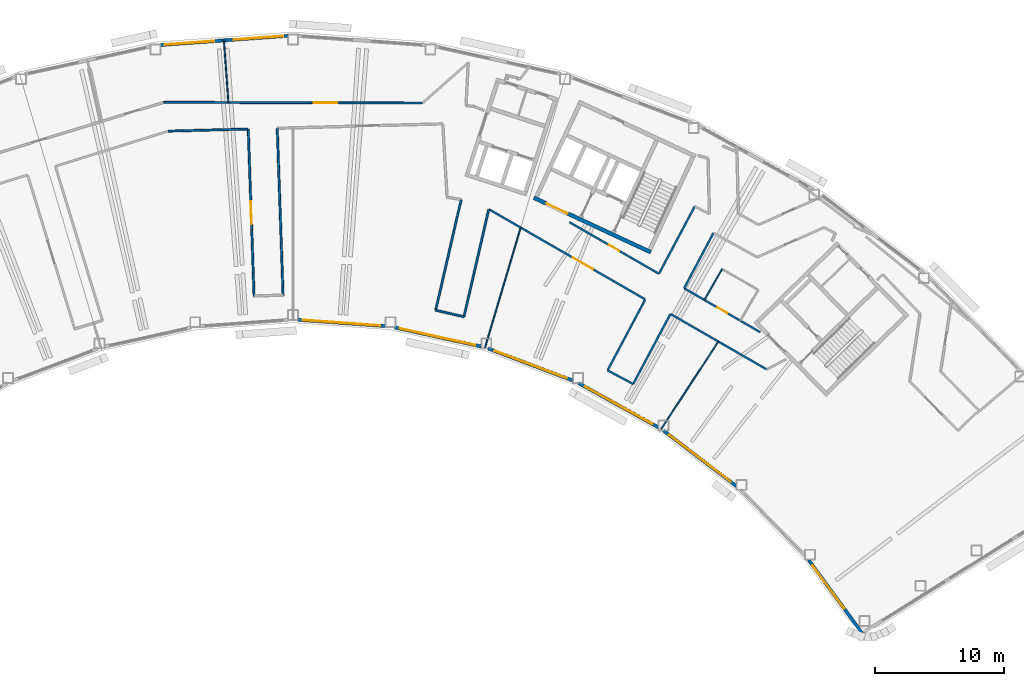
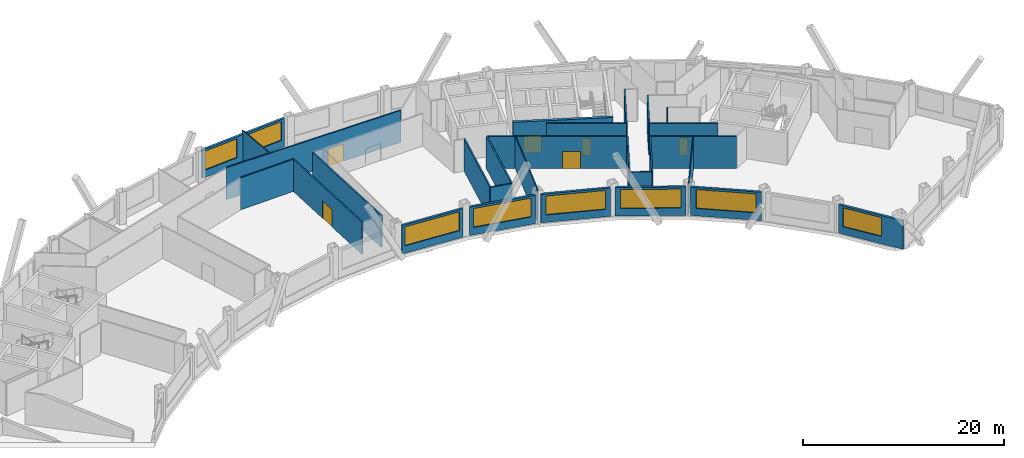
# One storey, part 7 of 13: 28 walls, 8 windows, 6 doors, 14 openings.
"""IFC4 building model written with IfcOpenShell, lengths in metres."""

from ifc_helpers import new_model, si_unit, direction, frame, frame_2d, origin, place, context, subcontext, project, spatial, rectangle, extrude, material, layer, layer_set, type_object, element, fill, save


model = new_model("IFC4")

# Units and contexts
model_context = context("Model", 3, precision=1e-05, world=origin(), true_north=direction((0.0, 1.0)))
body_context = subcontext(model_context, "Body", "Model", "MODEL_VIEW")
ifc_project = project(units=[si_unit("LENGTHUNIT", "METRE"), si_unit("AREAUNIT", "SQUARE_METRE"), si_unit("VOLUMEUNIT", "CUBIC_METRE"), si_unit("PLANEANGLEUNIT", "RADIAN"), si_unit("MASSUNIT", "GRAM", prefix="KILO")], contexts=[model_context])

# Site, building, storey
site_placement = place(None, origin())
site = spatial("IfcSite", under=ifc_project, at=site_placement, CompositionType="ELEMENT")
building_placement = place(site_placement, origin())
building = spatial("IfcBuilding", under=site, at=building_placement, Name="Tuul Gate Civic Tower", CompositionType="ELEMENT")
storey_placement = place(building_placement, frame((0.0, 0.0, 285.800048828125)))
storey = spatial("IfcBuildingStorey", under=building, at=storey_placement, Name="Level 64", CompositionType="ELEMENT", Elevation=285.800048828125)

# Wall, opening, door
ifc_material_1 = material(Name="Concrete C50/60", Category="concrete")
ifc_layer_1 = layer(ifc_material_1, 0.300048828125)
ifc_layer_set_1 = layer_set([ifc_layer_1], Name="Concrete C50/60")
wall_type_1 = type_object("IfcWallType", Name="Core wall C50/60", PredefinedType="SHEAR", material=ifc_layer_set_1)
wall_1_placement = place(storey_placement, frame((34.5283203125, -7.25, 0.0), z_axis=(0.0, 0.0, 1.0), x_axis=(-0.906310338845, 0.422612789327, 0.0)))
wall_1 = element("IfcWall", 1, at=wall_1_placement, inside=storey, type_object=wall_type_1, Name="Core wall", PredefinedType="SHEAR", context=body_context, shape_type="SweptSolid", body=[
    extrude(rectangle(XDim=9.999755859375, YDim=0.300048828125, at=frame_2d((5.0, 0.0))), origin(), (0.0, 0.0, 1.0), 3.89990234375),
])
opening_1_placement = place(wall_1_placement, frame((7.125, 0.0, 0.0)))
opening_1 = element("IfcOpeningElement", 2, at=opening_1_placement, cuts=wall_1, Name="Opening LB-E3-LOBBY-1", PredefinedType="OPENING", context=body_context, shape_type="SweptSolid", body=[
    extrude(rectangle(XDim=1.800048828125, YDim=2.10009765625, at=frame_2d((0.89990234375, 1.050048828125))), frame((0.0, 0.16015625, 0.0), z_axis=(0.0, -1.0, 0.0), x_axis=(1.0, 0.0, 0.0)), (0.0, 0.0, 1.0), 0.320068359375),
])
ifc_material_2 = material(Name="Steel", Category="steel")
door_type_1 = type_object("IfcDoorType", Name="Lobby door", OperationType="DOUBLE_DOOR_SINGLE_SWING", PredefinedType="DOOR", material=ifc_material_2)
door_1_placement = place(opening_1_placement, frame((1.800048828125, 0.0, 0.0), z_axis=(0.0, 0.0, 1.0), x_axis=(-1.0, 0.0, 0.0)))
door_1 = element("IfcDoor", 3, at=door_1_placement, inside=storey, type_object=door_type_1, Name="Lobby door E3-LOBBY", OperationType="DOUBLE_DOOR_SINGLE_SWING", OverallHeight=2.10009765625, OverallWidth=1.800048828125, PredefinedType="DOOR", context=body_context, shape_type="SweptSolid", body=[
    extrude(rectangle(XDim=1.800048828125, YDim=2.10009765625, at=frame_2d((0.900146484375, 1.050048828125))), frame((0.0, 0.02490234375, 0.0), z_axis=(0.0, -1.0, 0.0), x_axis=(1.0, 0.0, 0.0)), (0.0, 0.0, 1.0), 0.050048828125),
])
fill(opening_1, door_1)

ifc_material_3 = material(Name="Gypsum board partition")
ifc_layer_2 = layer(ifc_material_3, 0.14990234375)
ifc_layer_set_2 = layer_set([ifc_layer_2], Name="Gypsum board partition")
wall_type_2 = type_object("IfcWallType", Name="Corridor wall P150", PredefinedType="PARTITIONING", material=ifc_layer_set_2)
wall_2_placement = place(storey_placement, frame((-3.21337890625, 4.37158203125, 0.0), z_axis=(0.0, 0.0, 1.0), x_axis=(0.999996537245, -0.002631633958, 0.0)))
wall_2 = element("IfcWall", 4, at=wall_2_placement, inside=storey, type_object=wall_type_2, Name="p025", PredefinedType="PARTITIONING", context=body_context, shape_type="SweptSolid", body=[
    extrude(rectangle(XDim=20.03857421875, YDim=0.14990234375, at=frame_2d((10.019287109375, 0.0))), origin(), (0.0, 0.0, 1.0), 3.89990234375),
])
opening_2_placement = place(wall_2_placement, frame((11.620361328125, 0.0, 0.0)))
opening_2 = element("IfcOpeningElement", 5, at=opening_2_placement, cuts=wall_2, Name="Opening X-D03", PredefinedType="OPENING", context=body_context, shape_type="SweptSolid", body=[
    extrude(rectangle(XDim=1.800048828125, YDim=2.10009765625, at=frame_2d((0.89990234375, 1.050048828125))), frame((0.0, 0.0849609375, 0.0), z_axis=(0.0, -1.0, 0.0), x_axis=(1.0, 0.0, 0.0)), (0.0, 0.0, 1.0), 0.169921875),
])
ifc_material_4 = material(Name="Timber door leaf, double", Category="wood")
door_type_2 = type_object("IfcDoorType", Name="Door D18", OperationType="DOUBLE_DOOR_SINGLE_SWING", PredefinedType="DOOR", material=ifc_material_4)
door_2_placement = place(opening_2_placement, origin())
door_2 = element("IfcDoor", 6, at=door_2_placement, inside=storey, type_object=door_type_2, Name="Door X-D03", OperationType="DOUBLE_DOOR_SINGLE_SWING", OverallHeight=2.10009765625, OverallWidth=1.800048828125, PredefinedType="DOOR", context=body_context, shape_type="SweptSolid", body=[
    extrude(rectangle(XDim=1.800048828125, YDim=2.10009765625, at=frame_2d((0.89990234375, 1.050048828125))), frame((0.0, 0.02490234375, 0.0), z_axis=(0.0, -1.0, 0.0), x_axis=(1.0, 0.0, 0.0)), (0.0, 0.0, 1.0), 0.050048828125),
])
fill(opening_2, door_2)

wall_3_placement = place(storey_placement, frame((21.993408203125, -3.923828125, 0.0), z_axis=(0.0, 0.0, 1.0), x_axis=(0.866338745538, -0.499456883004, 0.0)))
wall_3 = element("IfcWall", 7, at=wall_3_placement, inside=storey, type_object=wall_type_2, Name="p048", PredefinedType="PARTITIONING", context=body_context, shape_type="SweptSolid", body=[
    extrude(rectangle(XDim=13.955078125, YDim=0.14990234375, at=frame_2d((6.9775390625, 0.0))), origin(), (0.0, 0.0, 1.0), 3.89990234375),
])
opening_3_placement = place(wall_3_placement, frame((7.491455078125, 0.0, 0.0)))
opening_3 = element("IfcOpeningElement", 8, at=opening_3_placement, cuts=wall_3, Name="Opening X-D09", PredefinedType="OPENING", context=body_context, shape_type="SweptSolid", body=[
    extrude(rectangle(XDim=1.800048828125, YDim=2.10009765625, at=frame_2d((0.89990234375, 1.050048828125))), frame((0.0, 0.0849609375, 0.0), z_axis=(0.0, -1.0, 0.0), x_axis=(1.0, 0.0, 0.0)), (0.0, 0.0, 1.0), 0.169921875),
])
door_3_placement = place(opening_3_placement, frame((1.800048828125, 0.0, 0.0), z_axis=(0.0, 0.0, 1.0), x_axis=(-1.0, 0.0, 0.0)))
door_3 = element("IfcDoor", 9, at=door_3_placement, inside=storey, type_object=door_type_2, Name="Door X-D09", OperationType="DOUBLE_DOOR_SINGLE_SWING", OverallHeight=2.10009765625, OverallWidth=1.800048828125, PredefinedType="DOOR", context=body_context, shape_type="SweptSolid", body=[
    extrude(rectangle(XDim=1.800048828125, YDim=2.10009765625, at=frame_2d((0.900146484375, 1.050048828125))), frame((0.0, 0.02490234375, 0.0), z_axis=(0.0, -1.0, 0.0), x_axis=(1.0, 0.0, 0.0)), (0.0, 0.0, 1.0), 0.050048828125),
])
fill(opening_3, door_3)

# Walls
wall_4_placement = place(storey_placement, frame((36.069091796875, -12.038818359375, 0.0), z_axis=(0.0, 0.0, 1.0), x_axis=(0.866348277937, -0.499440348105, 0.0)))
element("IfcWall", 10, at=wall_4_placement, inside=storey, type_object=wall_type_2, Name="p049", PredefinedType="PARTITIONING", context=body_context, shape_type="SweptSolid", body=[
    extrude(rectangle(XDim=8.591552734375, YDim=0.14990234375, at=frame_2d((4.2958984375, 0.0))), origin(), (0.0, 0.0, 1.0), 3.89990234375),
])
wall_5_placement = place(storey_placement, frame((31.176513671875, -16.40283203125, 0.0), z_axis=(0.0, 0.0, 1.0), x_axis=(0.469487753486, 0.88293898392, 0.0)))
element("IfcWall", 11, at=wall_5_placement, inside=storey, type_object=wall_type_2, Name="p052", PredefinedType="PARTITIONING", context=body_context, shape_type="SweptSolid", body=[
    extrude(rectangle(XDim=6.20849609375, YDim=0.14990234375, at=frame_2d((3.104248046875, 0.0))), origin(), (0.0, 0.0, 1.0), 3.89990234375),
])
wall_6_placement = place(storey_placement, frame((35.16748046875, -8.897216796875, 0.0), z_axis=(0.0, 0.0, 1.0), x_axis=(0.469451695626, 0.882958156128, 0.0)))
element("IfcWall", 12, at=wall_6_placement, inside=storey, type_object=wall_type_2, Name="p053", PredefinedType="PARTITIONING", context=body_context, shape_type="SweptSolid", body=[
    extrude(rectangle(XDim=5.89990234375, YDim=0.14990234375, at=frame_2d((2.949951171875, 0.0))), origin(), (0.0, 0.0, 1.0), 3.89990234375),
])
wall_7_placement = place(storey_placement, frame((31.1767578125, -16.40380859375, 0.0), z_axis=(0.0, 0.0, 1.0), x_axis=(0.88294134125, -0.469483320163, 0.0)))
element("IfcWall", 13, at=wall_7_placement, inside=storey, type_object=wall_type_2, Name="p054", PredefinedType="PARTITIONING", context=body_context, shape_type="SweptSolid", body=[
    extrude(rectangle(XDim=2.24853515625, YDim=0.14990234375, at=frame_2d((1.124267578125, 0.0))), origin(), (0.0, 0.0, 1.0), 3.89990234375),
])
wall_8_placement = place(storey_placement, frame((33.1630859375, -17.458984375, 0.0), z_axis=(0.0, 0.0, 1.0), x_axis=(0.469504641219, 0.882930003949, 0.0)))
element("IfcWall", 14, at=wall_8_placement, inside=storey, type_object=wall_type_2, Name="p055", PredefinedType="PARTITIONING", context=body_context, shape_type="SweptSolid", body=[
    extrude(rectangle(XDim=6.129638671875, YDim=0.14990234375, at=frame_2d((3.06494140625, 0.0))), origin(), (0.0, 0.0, 1.0), 3.89990234375),
])
wall_9_placement = place(storey_placement, frame((37.10791015625, -10.040283203125, 0.0), z_axis=(0.0, 0.0, 1.0), x_axis=(0.469444477651, 0.882961993748, 0.0)))
element("IfcWall", 15, at=wall_9_placement, inside=storey, type_object=wall_type_2, Name="p056", PredefinedType="PARTITIONING", context=body_context, shape_type="SweptSolid", body=[
    extrude(rectangle(XDim=4.854248046875, YDim=0.14990234375, at=frame_2d((2.42724609375, 0.0))), origin(), (0.0, 0.0, 1.0), 3.89990234375),
])
wall_10_placement = place(storey_placement, frame((-2.88818359375, 2.138427734375, 0.0), z_axis=(0.0, 0.0, 1.0), x_axis=(0.999648112488, 0.026526424561, 0.0)))
element("IfcWall", 16, at=wall_10_placement, inside=storey, type_object=wall_type_2, Name="p058", PredefinedType="PARTITIONING", context=body_context, shape_type="SweptSolid", body=[
    extrude(rectangle(XDim=6.194091796875, YDim=0.14990234375, at=frame_2d((3.09716796875, 0.0))), origin(), (0.0, 0.0, 1.0), 3.89990234375),
])
wall_11_placement = place(storey_placement, frame((17.8525390625, -11.740478515625, 0.0), z_axis=(0.0, 0.0, 1.0), x_axis=(0.224944785676, 0.974371512, 0.0)))
element("IfcWall", 17, at=wall_11_placement, inside=storey, type_object=wall_type_2, Name="p062", PredefinedType="PARTITIONING", context=body_context, shape_type="SweptSolid", body=[
    extrude(rectangle(XDim=8.781494140625, YDim=0.14990234375, at=frame_2d((4.390625, 0.0))), origin(), (0.0, 0.0, 1.0), 3.89990234375),
])
wall_12_placement = place(storey_placement, frame((17.853271484375, -11.741455078125, 0.0), z_axis=(0.0, 0.0, 1.0), x_axis=(0.974365570195, -0.224970521667, 0.0)))
element("IfcWall", 18, at=wall_12_placement, inside=storey, type_object=wall_type_2, Name="p063", PredefinedType="PARTITIONING", context=body_context, shape_type="SweptSolid", body=[
    extrude(rectangle(XDim=2.24853515625, YDim=0.14990234375, at=frame_2d((1.124267578125, 0.0))), origin(), (0.0, 0.0, 1.0), 3.89990234375),
])
wall_13_placement = place(storey_placement, frame((20.044921875, -12.24658203125, 0.0), z_axis=(0.0, 0.0, 1.0), x_axis=(0.224949406765, 0.974370445157, 0.0)))
element("IfcWall", 19, at=wall_13_placement, inside=storey, type_object=wall_type_2, Name="p064", PredefinedType="PARTITIONING", context=body_context, shape_type="SweptSolid", body=[
    extrude(rectangle(XDim=8.5283203125, YDim=0.14990234375, at=frame_2d((4.26416015625, 0.0))), origin(), (0.0, 0.0, 1.0), 3.89990234375),
])

# Wall, opening, door
wall_14_placement = place(storey_placement, frame((3.32470703125, 2.282958984375, 0.0), z_axis=(0.0, 0.0, 1.0), x_axis=(0.034876981924, -0.999391612999, 0.0)))
wall_14 = element("IfcWall", 20, at=wall_14_placement, inside=storey, type_object=wall_type_2, Name="p070", PredefinedType="PARTITIONING", context=body_context, shape_type="SweptSolid", body=[
    extrude(rectangle(XDim=12.93603515625, YDim=0.14990234375, at=frame_2d((6.468017578125, 0.0))), origin(), (0.0, 0.0, 1.0), 3.89990234375),
])
opening_4_placement = place(wall_14_placement, frame((5.568115234375, 0.0, 0.0)))
opening_4 = element("IfcOpeningElement", 21, at=opening_4_placement, cuts=wall_14, Name="Opening X-D11", PredefinedType="OPENING", context=body_context, shape_type="SweptSolid", body=[
    extrude(rectangle(XDim=1.800048828125, YDim=2.10009765625, at=frame_2d((0.89990234375, 1.050048828125))), frame((0.0, 0.0849609375, 0.0), z_axis=(0.0, -1.0, 0.0), x_axis=(1.0, 0.0, 0.0)), (0.0, 0.0, 1.0), 0.169921875),
])
door_4_placement = place(opening_4_placement, frame((1.800048828125, 0.0, 0.0), z_axis=(0.0, 0.0, 1.0), x_axis=(-1.0, 0.0, 0.0)))
door_4 = element("IfcDoor", 22, at=door_4_placement, inside=storey, type_object=door_type_2, Name="Door X-D11", OperationType="DOUBLE_DOOR_SINGLE_SWING", OverallHeight=2.10009765625, OverallWidth=1.800048828125, PredefinedType="DOOR", context=body_context, shape_type="SweptSolid", body=[
    extrude(rectangle(XDim=1.800048828125, YDim=2.10009765625, at=frame_2d((0.900146484375, 1.050048828125))), frame((0.0, 0.02490234375, 0.0), z_axis=(0.0, -1.0, 0.0), x_axis=(1.0, 0.0, 0.0)), (0.0, 0.0, 1.0), 0.050048828125),
])
fill(opening_4, door_4)

# Wall
wall_15_placement = place(storey_placement, frame((5.573974609375, 2.34228515625, 0.0), z_axis=(0.0, 0.0, 1.0), x_axis=(0.034891271808, -0.999391114205, 0.0)))
element("IfcWall", 23, at=wall_15_placement, inside=storey, type_object=wall_type_2, Name="p073", PredefinedType="PARTITIONING", context=body_context, shape_type="SweptSolid", body=[
    extrude(rectangle(XDim=12.916748046875, YDim=0.14990234375, at=frame_2d((6.45849609375, 0.0))), origin(), (0.0, 0.0, 1.0), 3.89990234375),
])

# Wall, opening, door
wall_16_placement = place(storey_placement, frame((28.224609375, -4.9189453125, 0.0), z_axis=(0.0, 0.0, 1.0), x_axis=(0.866331707471, -0.499469090766, 0.0)))
wall_16 = element("IfcWall", 24, at=wall_16_placement, inside=storey, type_object=wall_type_2, Name="p094", PredefinedType="PARTITIONING", context=body_context, shape_type="SweptSolid", body=[
    extrude(rectangle(XDim=7.981201171875, YDim=0.14990234375, at=frame_2d((3.99072265625, 0.0))), origin(), (0.0, 0.0, 1.0), 3.89990234375),
])
opening_5_placement = place(wall_16_placement, frame((3.540771484375, 0.0, 0.0)))
opening_5 = element("IfcOpeningElement", 25, at=opening_5_placement, cuts=wall_16, Name="Opening X-D14", PredefinedType="OPENING", context=body_context, shape_type="SweptSolid", body=[
    extrude(rectangle(XDim=0.89990234375, YDim=2.10009765625, at=frame_2d((0.449951171875, 1.050048828125))), frame((0.0, 0.0849609375, 0.0), z_axis=(0.0, -1.0, 0.0), x_axis=(1.0, 0.0, 0.0)), (0.0, 0.0, 1.0), 0.169921875),
])
ifc_material_5 = material(Name="Timber door leaf", Category="wood")
door_type_3 = type_object("IfcDoorType", Name="Door D09", OperationType="NOTDEFINED", PredefinedType="DOOR", material=ifc_material_5)
door_5_placement = place(opening_5_placement, frame((0.89990234375, 0.0, 0.0), z_axis=(0.0, 0.0, 1.0), x_axis=(-1.0, 0.0, 0.0)))
door_5 = element("IfcDoor", 26, at=door_5_placement, inside=storey, type_object=door_type_3, Name="Door X-D14", OperationType="SINGLE_SWING_LEFT", OverallHeight=2.10009765625, OverallWidth=0.89990234375, PredefinedType="DOOR", context=body_context, shape_type="SweptSolid", body=[
    extrude(rectangle(XDim=0.89990234375, YDim=2.10009765625, at=frame_2d((0.449951171875, 1.050048828125))), frame((0.0, 0.02490234375, 0.0), z_axis=(0.0, -1.0, 0.0), x_axis=(1.0, 0.0, 0.0)), (0.0, 0.0, 1.0), 0.050048828125),
])
fill(opening_5, door_5)

wall_17_placement = place(storey_placement, frame((37.10791015625, -10.040283203125, 0.0), z_axis=(0.0, 0.0, 1.0), x_axis=(0.866329563851, -0.499472808867, 0.0)))
wall_17 = element("IfcWall", 27, at=wall_17_placement, inside=storey, type_object=wall_type_2, Name="p095", PredefinedType="PARTITIONING", context=body_context, shape_type="SweptSolid", body=[
    extrude(rectangle(XDim=6.829833984375, YDim=0.14990234375, at=frame_2d((3.4150390625, 0.0))), origin(), (0.0, 0.0, 1.0), 3.89990234375),
])
opening_6_placement = place(wall_17_placement, frame((2.974853515625, 0.0, 0.0)))
opening_6 = element("IfcOpeningElement", 28, at=opening_6_placement, cuts=wall_17, Name="Opening X-D16", PredefinedType="OPENING", context=body_context, shape_type="SweptSolid", body=[
    extrude(rectangle(XDim=0.89990234375, YDim=2.10009765625, at=frame_2d((0.449951171875, 1.050048828125))), frame((0.0, 0.0849609375, 0.0), z_axis=(0.0, -1.0, 0.0), x_axis=(1.0, 0.0, 0.0)), (0.0, 0.0, 1.0), 0.169921875),
])
door_6_placement = place(opening_6_placement, origin())
door_6 = element("IfcDoor", 29, at=door_6_placement, inside=storey, type_object=door_type_3, Name="Door X-D16", OperationType="SINGLE_SWING_RIGHT", OverallHeight=2.10009765625, OverallWidth=0.89990234375, PredefinedType="DOOR", context=body_context, shape_type="SweptSolid", body=[
    extrude(rectangle(XDim=0.89990234375, YDim=2.10009765625, at=frame_2d((0.449951171875, 1.050048828125))), frame((0.0, 0.02490234375, 0.0), z_axis=(0.0, -1.0, 0.0), x_axis=(1.0, 0.0, 0.0)), (0.0, 0.0, 1.0), 0.050048828125),
])
fill(opening_6, door_6)

# Wall, openings, windows
ifc_material_6 = material(Name="Precast concrete C40/50", Category="concrete")
ifc_layer_3 = layer(ifc_material_6, 0.25)
ifc_layer_set_3 = layer_set([ifc_layer_3], Name="Precast concrete C40/50")
wall_type_3 = type_object("IfcWallType", Name="External wall", PredefinedType="STANDARD", material=ifc_layer_set_3)
wall_18_placement = place(storey_placement, frame((6.387939453125, 9.52880859375, 0.0), z_axis=(0.0, 0.0, 1.0), x_axis=(-0.997387042659, -0.072243249762, 0.0)))
wall_18 = element("IfcWall", 30, at=wall_18_placement, inside=storey, type_object=wall_type_3, Name="External wall", PredefinedType="STANDARD", context=body_context, shape_type="SweptSolid", body=[
    extrude(rectangle(XDim=9.874755859375, YDim=0.25, at=frame_2d((4.9375, 0.0))), origin(), (0.0, 0.0, 1.0), 3.449951171875),
])
opening_7_placement = place(wall_18_placement, frame((0.350341796875, 0.0, 0.89990234375)))
opening_7 = element("IfcOpeningElement", 31, at=opening_7_placement, cuts=wall_18, Name="Opening W22", PredefinedType="OPENING", context=body_context, shape_type="SweptSolid", body=[
    extrude(rectangle(XDim=3.85009765625, YDim=2.300048828125, at=frame_2d((1.925048828125, 1.14990234375))), frame((0.0, 0.135009765625, 0.0), z_axis=(0.0, -1.0, 0.0), x_axis=(1.0, 0.0, 0.0)), (0.0, 0.0, 1.0), 0.27001953125),
])
opening_8_placement = place(wall_18_placement, frame((5.721435546875, 0.0, 0.89990234375)))
opening_8 = element("IfcOpeningElement", 32, at=opening_8_placement, cuts=wall_18, Name="Opening W22", PredefinedType="OPENING", context=body_context, shape_type="SweptSolid", body=[
    extrude(rectangle(XDim=3.85009765625, YDim=2.300048828125, at=frame_2d((1.925048828125, 1.14990234375))), frame((0.0, 0.135009765625, 0.0), z_axis=(0.0, -1.0, 0.0), x_axis=(1.0, 0.0, 0.0)), (0.0, 0.0, 1.0), 0.27001953125),
])
ifc_material_7 = material(Name="Glass", Category="glass")
window_type_1 = type_object("IfcWindowType", Name="Window W22 3850 x 2300", PartitioningType="SINGLE_PANEL", PredefinedType="WINDOW", material=ifc_material_7)
window_1_placement = place(opening_7_placement, origin())
window_1 = element("IfcWindow", 33, at=window_1_placement, inside=storey, type_object=window_type_1, Name="Window", OverallHeight=2.300048828125, OverallWidth=3.85009765625, PartitioningType="SINGLE_PANEL", PredefinedType="WINDOW", context=body_context, shape_type="SweptSolid", body=[
    extrude(rectangle(XDim=3.85009765625, YDim=2.300048828125, at=frame_2d((1.925048828125, 1.14990234375))), frame((0.0, 0.030029296875, 0.0), z_axis=(0.0, -1.0, 0.0), x_axis=(1.0, 0.0, 0.0)), (0.0, 0.0, 1.0), 0.06005859375),
])
fill(opening_7, window_1)
window_2_placement = place(opening_8_placement, origin())
window_2 = element("IfcWindow", 34, at=window_2_placement, inside=storey, type_object=window_type_1, Name="Window", OverallHeight=2.300048828125, OverallWidth=3.85009765625, PartitioningType="SINGLE_PANEL", PredefinedType="WINDOW", context=body_context, shape_type="SweptSolid", body=[
    extrude(rectangle(XDim=3.85009765625, YDim=2.300048828125, at=frame_2d((1.925048828125, 1.14990234375))), frame((0.0, 0.030029296875, 0.0), z_axis=(0.0, -1.0, 0.0), x_axis=(1.0, 0.0, 0.0)), (0.0, 0.0, 1.0), 0.06005859375),
])
fill(opening_8, window_2)

# Wall, opening, window
wall_19_placement = place(storey_placement, frame((7.18798828125, -12.478759765625, 0.0), z_axis=(0.0, 0.0, 1.0), x_axis=(0.997384795983, -0.072274260578, 0.0)))
wall_19 = element("IfcWall", 35, at=wall_19_placement, inside=storey, type_object=wall_type_3, Name="External wall", PredefinedType="STANDARD", context=body_context, shape_type="SweptSolid", body=[
    extrude(rectangle(XDim=6.789794921875, YDim=0.25, at=frame_2d((3.39501953125, 0.0))), origin(), (0.0, 0.0, 1.0), 3.449951171875),
])
opening_9_placement = place(wall_19_placement, frame((0.371337890625, 0.0, 0.89990234375)))
opening_9 = element("IfcOpeningElement", 36, at=opening_9_placement, cuts=wall_19, Name="Opening W26", PredefinedType="OPENING", context=body_context, shape_type="SweptSolid", body=[
    extrude(rectangle(XDim=6.0, YDim=2.300048828125, at=frame_2d((3.0, 1.14990234375))), frame((0.0, 0.135009765625, 0.0), z_axis=(0.0, -1.0, 0.0), x_axis=(1.0, 0.0, 0.0)), (0.0, 0.0, 1.0), 0.27001953125),
])
ifc_material_8 = material(Name="Glass", Category="glass")
window_type_2 = type_object("IfcWindowType", Name="Window W26 6000 x 2300", PartitioningType="SINGLE_PANEL", PredefinedType="WINDOW", material=ifc_material_8)
window_3_placement = place(opening_9_placement, origin())
window_3 = element("IfcWindow", 37, at=window_3_placement, inside=storey, type_object=window_type_2, Name="Window", OverallHeight=2.300048828125, OverallWidth=6.0, PartitioningType="SINGLE_PANEL", PredefinedType="WINDOW", context=body_context, shape_type="SweptSolid", body=[
    extrude(rectangle(XDim=6.0, YDim=2.300048828125, at=frame_2d((3.0, 1.14990234375))), frame((0.0, 0.030029296875, 0.0), z_axis=(0.0, -1.0, 0.0), x_axis=(1.0, 0.0, 0.0)), (0.0, 0.0, 1.0), 0.06005859375),
])
fill(opening_9, window_3)

wall_20_placement = place(storey_placement, frame((14.6669921875, -13.072998046875, 0.0), z_axis=(0.0, 0.0, 1.0), x_axis=(0.976561146318, -0.215240162382, 0.0)))
wall_20 = element("IfcWall", 38, at=wall_20_placement, inside=storey, type_object=wall_type_3, Name="External wall", PredefinedType="STANDARD", context=body_context, shape_type="SweptSolid", body=[
    extrude(rectangle(XDim=6.867919921875, YDim=0.25, at=frame_2d((3.43408203125, 0.0))), origin(), (0.0, 0.0, 1.0), 3.449951171875),
])
opening_10_placement = place(wall_20_placement, frame((0.409912109375, 0.0, 0.89990234375)))
opening_10 = element("IfcOpeningElement", 39, at=opening_10_placement, cuts=wall_20, Name="Opening W26", PredefinedType="OPENING", context=body_context, shape_type="SweptSolid", body=[
    extrude(rectangle(XDim=6.0, YDim=2.300048828125, at=frame_2d((3.0, 1.14990234375))), frame((0.0, 0.135009765625, 0.0), z_axis=(0.0, -1.0, 0.0), x_axis=(1.0, 0.0, 0.0)), (0.0, 0.0, 1.0), 0.27001953125),
])
window_4_placement = place(opening_10_placement, origin())
window_4 = element("IfcWindow", 40, at=window_4_placement, inside=storey, type_object=window_type_2, Name="Window", OverallHeight=2.300048828125, OverallWidth=6.0, PartitioningType="SINGLE_PANEL", PredefinedType="WINDOW", context=body_context, shape_type="SweptSolid", body=[
    extrude(rectangle(XDim=6.0, YDim=2.300048828125, at=frame_2d((3.0, 1.14990234375))), frame((0.0, 0.030029296875, 0.0), z_axis=(0.0, -1.0, 0.0), x_axis=(1.0, 0.0, 0.0)), (0.0, 0.0, 1.0), 0.06005859375),
])
fill(opening_10, window_4)

wall_21_placement = place(storey_placement, frame((21.913818359375, -14.70703125, 0.0), z_axis=(0.0, 0.0, 1.0), x_axis=(0.93536593895, -0.353681438943, 0.0)))
wall_21 = element("IfcWall", 41, at=wall_21_placement, inside=storey, type_object=wall_type_3, Name="External wall", PredefinedType="STANDARD", context=body_context, shape_type="SweptSolid", body=[
    extrude(rectangle(XDim=7.0146484375, YDim=0.25, at=frame_2d((3.50732421875, 0.0))), origin(), (0.0, 0.0, 1.0), 3.449951171875),
])
opening_11_placement = place(wall_21_placement, frame((0.523193359375, 0.0, 0.89990234375)))
opening_11 = element("IfcOpeningElement", 42, at=opening_11_placement, cuts=wall_21, Name="Opening W26", PredefinedType="OPENING", context=body_context, shape_type="SweptSolid", body=[
    extrude(rectangle(XDim=6.0, YDim=2.300048828125, at=frame_2d((3.0, 1.14990234375))), frame((0.0, 0.135009765625, 0.0), z_axis=(0.0, -1.0, 0.0), x_axis=(1.0, 0.0, 0.0)), (0.0, 0.0, 1.0), 0.27001953125),
])
window_5_placement = place(opening_11_placement, origin())
window_5 = element("IfcWindow", 43, at=window_5_placement, inside=storey, type_object=window_type_2, Name="Window", OverallHeight=2.300048828125, OverallWidth=6.0, PartitioningType="SINGLE_PANEL", PredefinedType="WINDOW", context=body_context, shape_type="SweptSolid", body=[
    extrude(rectangle(XDim=6.0, YDim=2.300048828125, at=frame_2d((3.0, 1.14990234375))), frame((0.0, 0.030029296875, 0.0), z_axis=(0.0, -1.0, 0.0), x_axis=(1.0, 0.0, 0.0)), (0.0, 0.0, 1.0), 0.06005859375),
])
fill(opening_11, window_5)

wall_22_placement = place(storey_placement, frame((28.926513671875, -17.39208984375, 0.0), z_axis=(0.0, 0.0, 1.0), x_axis=(0.874628863521, -0.484793101328, 0.0)))
wall_22 = element("IfcWall", 44, at=wall_22_placement, inside=storey, type_object=wall_type_3, Name="External wall", PredefinedType="STANDARD", context=body_context, shape_type="SweptSolid", body=[
    extrude(rectangle(XDim=7.075439453125, YDim=0.25, at=frame_2d((3.53759765625, 0.0))), origin(), (0.0, 0.0, 1.0), 3.449951171875),
])
opening_12_placement = place(wall_22_placement, frame((0.556396484375, 0.0, 0.89990234375)))
opening_12 = element("IfcOpeningElement", 45, at=opening_12_placement, cuts=wall_22, Name="Opening W26", PredefinedType="OPENING", context=body_context, shape_type="SweptSolid", body=[
    extrude(rectangle(XDim=6.0, YDim=2.300048828125, at=frame_2d((3.0, 1.14990234375))), frame((0.0, 0.135009765625, 0.0), z_axis=(0.0, -1.0, 0.0), x_axis=(1.0, 0.0, 0.0)), (0.0, 0.0, 1.0), 0.27001953125),
])
window_6_placement = place(opening_12_placement, origin())
window_6 = element("IfcWindow", 46, at=window_6_placement, inside=storey, type_object=window_type_2, Name="Window", OverallHeight=2.300048828125, OverallWidth=6.0, PartitioningType="SINGLE_PANEL", PredefinedType="WINDOW", context=body_context, shape_type="SweptSolid", body=[
    extrude(rectangle(XDim=6.0, YDim=2.300048828125, at=frame_2d((3.0, 1.14990234375))), frame((0.0, 0.030029296875, 0.0), z_axis=(0.0, -1.0, 0.0), x_axis=(1.0, 0.0, 0.0)), (0.0, 0.0, 1.0), 0.06005859375),
])
fill(opening_12, window_6)

wall_23_placement = place(storey_placement, frame((35.503173828125, -21.072021484375, 0.0), z_axis=(0.0, 0.0, 1.0), x_axis=(0.795582375141, -0.605845429433, 0.0)))
wall_23 = element("IfcWall", 47, at=wall_23_placement, inside=storey, type_object=wall_type_3, Name="External wall", PredefinedType="STANDARD", context=body_context, shape_type="SweptSolid", body=[
    extrude(rectangle(XDim=7.10400390625, YDim=0.25, at=frame_2d((3.552001953125, 0.0))), origin(), (0.0, 0.0, 1.0), 3.449951171875),
])
opening_13_placement = place(wall_23_placement, frame((0.562744140625, 0.0, 0.89990234375)))
opening_13 = element("IfcOpeningElement", 48, at=opening_13_placement, cuts=wall_23, Name="Opening W26", PredefinedType="OPENING", context=body_context, shape_type="SweptSolid", body=[
    extrude(rectangle(XDim=6.0, YDim=2.300048828125, at=frame_2d((3.0, 1.14990234375))), frame((0.0, 0.135009765625, 0.0), z_axis=(0.0, -1.0, 0.0), x_axis=(1.0, 0.0, 0.0)), (0.0, 0.0, 1.0), 0.27001953125),
])
window_7_placement = place(opening_13_placement, origin())
window_7 = element("IfcWindow", 49, at=window_7_placement, inside=storey, type_object=window_type_2, Name="Window", OverallHeight=2.300048828125, OverallWidth=6.0, PartitioningType="SINGLE_PANEL", PredefinedType="WINDOW", context=body_context, shape_type="SweptSolid", body=[
    extrude(rectangle(XDim=6.0, YDim=2.300048828125, at=frame_2d((3.0, 1.14990234375))), frame((0.0, 0.030029296875, 0.0), z_axis=(0.0, -1.0, 0.0), x_axis=(1.0, 0.0, 0.0)), (0.0, 0.0, 1.0), 0.06005859375),
])
fill(opening_13, window_7)

wall_24_placement = place(storey_placement, frame((46.7587890625, -31.093017578125, 0.0), z_axis=(0.0, 0.0, 1.0), x_axis=(0.589839929294, -0.807520190343, 0.0)))
wall_24 = element("IfcWall", 50, at=wall_24_placement, inside=storey, type_object=wall_type_3, Name="External wall", PredefinedType="STANDARD", context=body_context, shape_type="SweptSolid", body=[
    extrude(rectangle(XDim=7.034423828125, YDim=0.25, at=frame_2d((3.51708984375, 0.0))), origin(), (0.0, 0.0, 1.0), 3.449951171875),
])
opening_14_placement = place(wall_24_placement, frame((0.52783203125, 0.0, 0.89990234375)))
opening_14 = element("IfcOpeningElement", 51, at=opening_14_placement, cuts=wall_24, Name="Opening W25", PredefinedType="OPENING", context=body_context, shape_type="SweptSolid", body=[
    extrude(rectangle(XDim=4.14990234375, YDim=2.300048828125, at=frame_2d((2.074951171875, 1.14990234375))), frame((0.0, 0.135009765625, 0.0), z_axis=(0.0, -1.0, 0.0), x_axis=(1.0, 0.0, 0.0)), (0.0, 0.0, 1.0), 0.27001953125),
])
ifc_material_9 = material(Name="Glass", Category="glass")
window_type_3 = type_object("IfcWindowType", Name="Window W25 4150 x 2300", PartitioningType="SINGLE_PANEL", PredefinedType="WINDOW", material=ifc_material_9)
window_8_placement = place(opening_14_placement, origin())
window_8 = element("IfcWindow", 52, at=window_8_placement, inside=storey, type_object=window_type_3, Name="Window", OverallHeight=2.300048828125, OverallWidth=4.14990234375, PartitioningType="SINGLE_PANEL", PredefinedType="WINDOW", context=body_context, shape_type="SweptSolid", body=[
    extrude(rectangle(XDim=4.14990234375, YDim=2.300048828125, at=frame_2d((2.074951171875, 1.14990234375))), frame((0.0, 0.030029296875, 0.0), z_axis=(0.0, -1.0, 0.0), x_axis=(1.0, 0.0, 0.0)), (0.0, 0.0, 1.0), 0.06005859375),
])
fill(opening_14, window_8)

# Walls
ifc_material_10 = material(Name="Gypsum board partition")
ifc_layer_4 = layer(ifc_material_10, 0.10009765625)
ifc_layer_set_4 = layer_set([ifc_layer_4], Name="Gypsum board partition")
wall_type_4 = type_object("IfcWallType", Name="Partition P100", PredefinedType="PARTITIONING", material=ifc_layer_set_4)
wall_25_placement = place(storey_placement, frame((1.439697265625, 9.17529296875, 0.0), z_axis=(0.0, 0.0, 1.0), x_axis=(0.072238548936, -0.99738738314, 0.0)))
element("IfcWall", 53, at=wall_25_placement, inside=storey, type_object=wall_type_4, Name="p017", PredefinedType="PARTITIONING", context=body_context, shape_type="SweptSolid", body=[
    extrude(rectangle(XDim=4.82958984375, YDim=0.10009765625, at=frame_2d((2.414794921875, 0.0))), origin(), (0.0, 0.0, 1.0), 3.89990234375),
])
wall_26_placement = place(storey_placement, frame((35.333984375, -20.949462890625, 0.0), z_axis=(0.0, 0.0, 1.0), x_axis=(0.546731113362, 0.837308240543, 0.0)))
element("IfcWall", 54, at=wall_26_placement, inside=storey, type_object=wall_type_4, Name="p043", PredefinedType="PARTITIONING", context=body_context, shape_type="SweptSolid", body=[
    extrude(rectangle(XDim=8.099365234375, YDim=0.10009765625, at=frame_2d((4.0498046875, 0.0))), origin(), (0.0, 0.0, 1.0), 3.89990234375),
])
wall_27_placement = place(storey_placement, frame((21.679443359375, -14.623779296875, 0.0), z_axis=(0.0, 0.0, 1.0), x_axis=(0.28522989895, 0.958459130451, 0.0)))
element("IfcWall", 55, at=wall_27_placement, inside=storey, type_object=wall_type_4, Name="p051", PredefinedType="PARTITIONING", context=body_context, shape_type="SweptSolid", body=[
    extrude(rectangle(XDim=9.690185546875, YDim=0.10009765625, at=frame_2d((4.84521484375, 0.0))), origin(), (0.0, 0.0, 1.0), 3.89990234375),
])
wall_28_placement = place(storey_placement, frame((38.68017578125, -10.94677734375, 0.0), z_axis=(0.0, 0.0, 1.0), x_axis=(0.499431428362, 0.866353420011, 0.0)))
element("IfcWall", 56, at=wall_28_placement, inside=storey, type_object=wall_type_4, Name="p098", PredefinedType="PARTITIONING", context=body_context, shape_type="SweptSolid", body=[
    extrude(rectangle(XDim=2.760009765625, YDim=0.10009765625, at=frame_2d((1.3798828125, 0.0))), origin(), (0.0, 0.0, 1.0), 3.89990234375),
])

save(model, "model.ifc")
